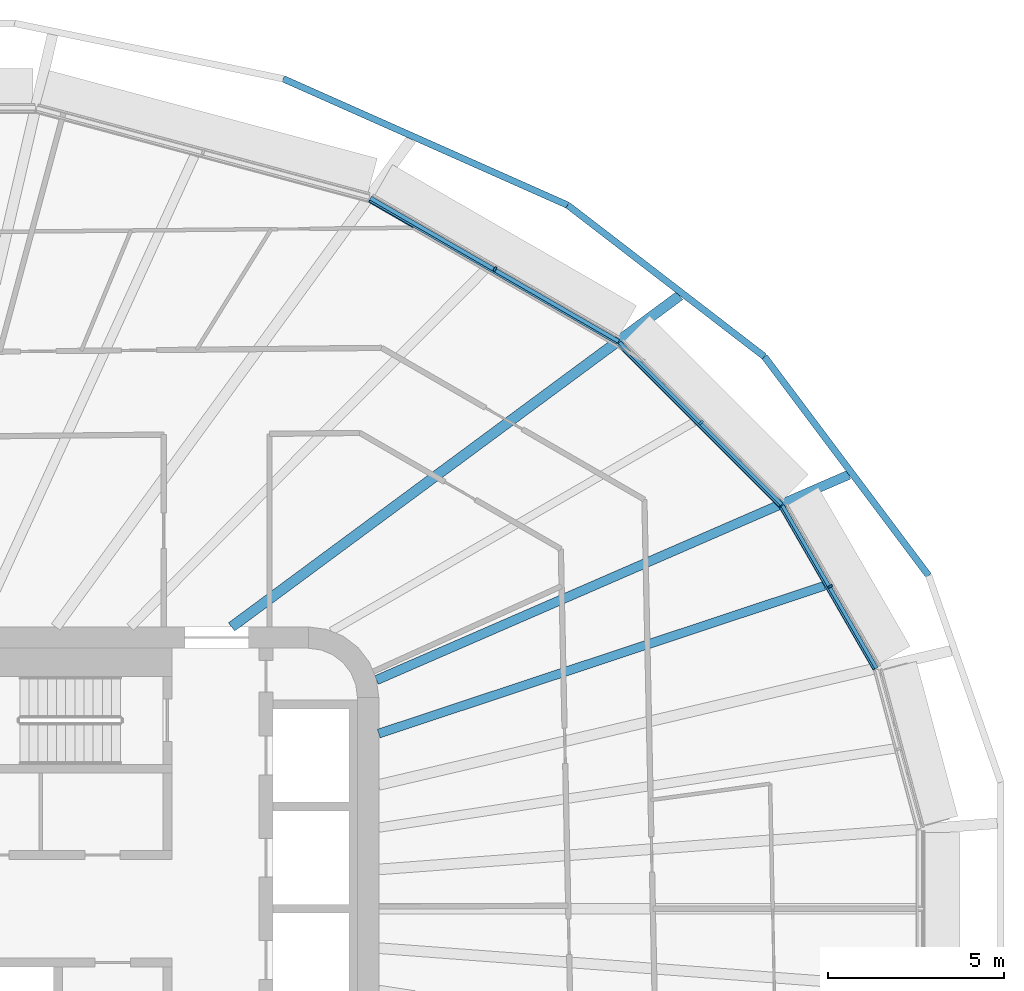
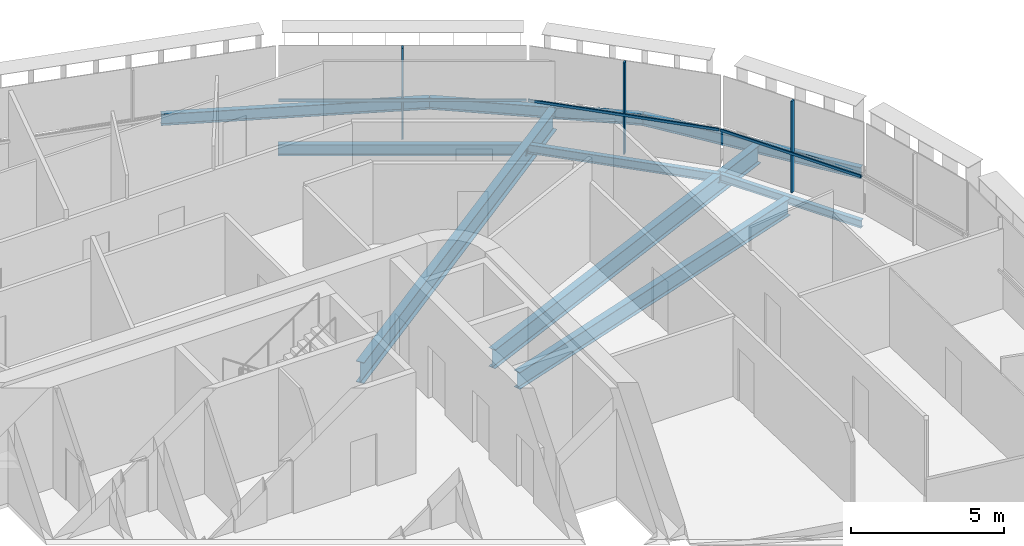
# One storey, part 9 of 23: 9 beams, 6 members, 3 elements without a shape of their own.
"""IFC4 building model written with IfcOpenShell, lengths in metres."""

from ifc_helpers import new_model, si_unit, direction, frame, origin, origin_2d, place, context, subcontext, project, spatial, rectangle, i_section, extrude, material, layer, layer_set, material_profile, profile_set, type_object, element, aggregate, save


model = new_model("IFC4")

# Units and contexts
model_context = context("Model", 3, precision=1e-05, world=origin(), true_north=direction((0.0, 1.0)))
body_context = subcontext(model_context, "Body", "Model", "MODEL_VIEW")
ifc_project = project(units=[si_unit("LENGTHUNIT", "METRE"), si_unit("AREAUNIT", "SQUARE_METRE"), si_unit("VOLUMEUNIT", "CUBIC_METRE"), si_unit("PLANEANGLEUNIT", "RADIAN"), si_unit("MASSUNIT", "GRAM", prefix="KILO")], contexts=[model_context])

# Site, building, storey
site_placement = place(None, origin())
site = spatial("IfcSite", under=ifc_project, at=site_placement, CompositionType="ELEMENT")
building_placement = place(site_placement, origin())
building = spatial("IfcBuilding", under=site, at=building_placement, Name="Sahrelin Media Tower", CompositionType="ELEMENT")
storey_placement = place(building_placement, frame((0.0, 0.0, 54.60009765625)))
storey = spatial("IfcBuildingStorey", under=building, at=storey_placement, Name="L08", CompositionType="ELEMENT", Elevation=54.60009765625)

# Beams
ifc_material_1 = material(Name="Steel S355", Category="steel")
ifc_material_profile_1 = material_profile(ifc_material_1, i_section(OverallWidth=0.1650390625, OverallDepth=0.303466796875, WebThickness=0.006103515625, FlangeThickness=0.01025390625, FilletRadius=0.0087890625, at=origin_2d()), Name="UB 305x165x40")
ifc_profile_set_1 = profile_set([ifc_material_profile_1], Name="Steel S355")
beam_type_1 = type_object("IfcBeamType", Name="Edge beam EB2", PredefinedType="BEAM", material=ifc_profile_set_1)
beam_1_placement = place(storey_placement, frame((26.429443359375, 11.4326171875, -0.3017578125), z_axis=(0.500020745744, -0.866013425892, 0.0), x_axis=(0.866013425892, 0.500020745744, 0.0)))
element("IfcBeam", 1, at=beam_1_placement, inside=storey, type_object=beam_type_1, Name="Edge beam L08-23", PredefinedType="BEAM", context=body_context, shape_type="SweptSolid", body=[
    extrude(i_section(OverallWidth=0.1650390625, OverallDepth=0.303466796875, WebThickness=0.006103515625, FlangeThickness=0.01025390625, FilletRadius=0.0087890625, at=origin_2d()), origin(), (0.0, 0.0, 1.0), 5.337158203125),
])
ifc_material_profile_2 = material_profile(ifc_material_1, i_section(OverallWidth=0.17138671875, OverallDepth=0.35498046875, WebThickness=0.00732421875, FlangeThickness=0.011474609375, FilletRadius=0.01025390625, at=origin_2d()), Name="UB 356x171x51")
ifc_profile_set_2 = profile_set([ifc_material_profile_2], Name="Steel S355")
beam_type_2 = type_object("IfcBeamType", Name="Edge beam EB3", PredefinedType="BEAM", material=ifc_profile_set_2)
beam_2_placement = place(storey_placement, frame((21.812255859375, 16.055419921875, -0.32763671875), z_axis=(0.707106781187, -0.707106781187, 0.0), x_axis=(0.707106781187, 0.707106781187, 0.0)))
element("IfcBeam", 2, at=beam_2_placement, inside=storey, type_object=beam_type_2, Name="Edge beam L08-22", PredefinedType="BEAM", context=body_context, shape_type="SweptSolid", body=[
    extrude(i_section(OverallWidth=0.17138671875, OverallDepth=0.35498046875, WebThickness=0.00732421875, FlangeThickness=0.011474609375, FilletRadius=0.01025390625, at=origin_2d()), origin(), (0.0, 0.0, 1.0), 6.505126953125),
])
ifc_material_profile_3 = material_profile(ifc_material_1, i_section(OverallWidth=0.1904296875, OverallDepth=0.45703125, WebThickness=0.009033203125, FlangeThickness=0.014404296875, FilletRadius=0.01025390625, at=origin_2d()), Name="UB 457x191x74")
ifc_profile_set_3 = profile_set([ifc_material_profile_3], Name="Steel S355")
beam_type_3 = type_object("IfcBeamType", Name="Edge beam EB5", PredefinedType="BEAM", material=ifc_profile_set_3)
beam_3_placement = place(storey_placement, frame((14.744873046875, 20.139892578125, -0.378662109375), z_axis=(0.866023644935, -0.500003046405, 0.0), x_axis=(0.500003046405, 0.866023644935, 0.0)))
element("IfcBeam", 3, at=beam_3_placement, inside=storey, type_object=beam_type_3, Name="Edge beam L08-21", PredefinedType="BEAM", context=body_context, shape_type="SweptSolid", body=[
    extrude(i_section(OverallWidth=0.1904296875, OverallDepth=0.45703125, WebThickness=0.009033203125, FlangeThickness=0.014404296875, FilletRadius=0.01025390625, at=origin_2d()), origin(), (0.0, 0.0, 1.0), 8.13427734375),
])

# Curtain wall, member
ifc_material_2 = material(Name="Champagne anodised aluminium 6063-T6", Category="aluminium")
ifc_layer = layer(ifc_material_2, 0.14990234375)
ifc_layer_set = layer_set([ifc_layer], Name="Tower ribbon curtain wall")
curtain_wall_type = type_object("IfcCurtainWallType", Name="Tower ribbon curtain wall", PredefinedType="NOTDEFINED", material=ifc_layer_set)
curtain_wall_1_placement = place(storey_placement, frame((27.893798828125, 9.196533203125, 0.0), z_axis=(0.0, 0.0, 1.0), x_axis=(1.0, 0.0, 0.0)))
curtain_wall_1 = element("IfcCurtainWall", 4, at=curtain_wall_1_placement, inside=storey, type_object=curtain_wall_type, Name="L08:CW:L08-02", PredefinedType="NOTDEFINED")
ifc_material_profile_4 = material_profile(ifc_material_2, rectangle(XDim=0.06005859375, YDim=0.14990234375, at=origin_2d()), Name="Mullion 60x150")
ifc_profile_set_4 = profile_set([ifc_material_profile_4], Name="Champagne anodised aluminium 6063-T6")
member_type_1 = type_object("IfcMemberType", Name="Mullion 60x150 CW1", PredefinedType="MULLION", material=ifc_profile_set_4)
member_1_placement = place(storey_placement, frame((27.811279296875, 9.149169921875, 0.0), z_axis=(0.0, 0.0, 1.0), x_axis=(-0.499990930976, 0.866030639725, 0.0)))
member_1 = element("IfcMember", 5, at=member_1_placement, type_object=member_type_1, Name="L08:CWM:L08-02", PredefinedType="MULLION", context=body_context, shape_type="SweptSolid", body=[
    extrude(rectangle(XDim=0.06005859375, YDim=0.14990234375, at=origin_2d()), origin(), (0.0, 0.0, 1.0), 3.6484375),
])

curtain_wall_2_placement = place(storey_placement, frame((24.218017578125, 13.861328125, 0.0), z_axis=(0.0, 0.0, 1.0), x_axis=(1.0, 0.0, 0.0)))
curtain_wall_2 = element("IfcCurtainWall", 6, at=curtain_wall_2_placement, inside=storey, type_object=curtain_wall_type, Name="L08:CW:L08-03", PredefinedType="NOTDEFINED")
member_2_placement = place(storey_placement, frame((24.15087890625, 13.794189453125, 0.0), z_axis=(0.0, 0.0, 1.0), x_axis=(-0.707106781187, 0.707106781187, 0.0)))
member_2 = element("IfcMember", 7, at=member_2_placement, type_object=member_type_1, Name="L08:CWM:L08-03", PredefinedType="MULLION", context=body_context, shape_type="SweptSolid", body=[
    extrude(rectangle(XDim=0.06005859375, YDim=0.14990234375, at=origin_2d()), origin(), (0.0, 0.0, 1.0), 3.6484375),
])

curtain_wall_3_placement = place(storey_placement, frame((18.342041015625, 18.236328125, 0.0), z_axis=(0.0, 0.0, 1.0), x_axis=(1.0, 0.0, 0.0)))
curtain_wall_3 = element("IfcCurtainWall", 8, at=curtain_wall_3_placement, inside=storey, type_object=curtain_wall_type, Name="L08:CW:L08-04", PredefinedType="NOTDEFINED")
member_3_placement = place(storey_placement, frame((18.294677734375, 18.154052734375, 0.0), z_axis=(0.0, 0.0, 1.0), x_axis=(-0.866027149108, 0.499996976998, 0.0)))
member_3 = element("IfcMember", 9, at=member_3_placement, type_object=member_type_1, Name="L08:CWM:L08-04", PredefinedType="MULLION", context=body_context, shape_type="SweptSolid", body=[
    extrude(rectangle(XDim=0.06005859375, YDim=0.14990234375, at=origin_2d()), origin(), (0.0, 0.0, 1.0), 3.6484375),
])

# Beams
ifc_material_profile_5 = material_profile(ifc_material_1, i_section(OverallWidth=0.291748046875, OverallDepth=0.8349609375, WebThickness=0.013916015625, FlangeThickness=0.018798828125, FilletRadius=0.017822265625, at=origin_2d()), Name="UB 838x292x176")
ifc_profile_set_5 = profile_set([ifc_material_profile_5], Name="Steel S355")
beam_type_4 = type_object("IfcBeamType", Name="Radial primary beam PB10", PredefinedType="BEAM", material=ifc_profile_set_5)
beam_4_placement = place(storey_placement, frame((10.821533203125, 8.0, -0.5673828125), z_axis=(0.804124174179, 0.594461363337, 0.0), x_axis=(-0.594461363337, 0.804124174179, 0.0)))
element("IfcBeam", 10, at=beam_4_placement, inside=storey, type_object=beam_type_4, Name="Radial beam L08-04", PredefinedType="BEAM", context=body_context, shape_type="SweptSolid", body=[
    extrude(i_section(OverallWidth=0.291748046875, OverallDepth=0.8349609375, WebThickness=0.013916015625, FlangeThickness=0.018798828125, FilletRadius=0.017822265625, at=origin_2d()), origin(), (0.0, 0.0, 1.0), 15.81787109375),
])
ifc_material_profile_6 = material_profile(ifc_material_1, i_section(OverallWidth=0.26513671875, OverallDepth=0.75390625, WebThickness=0.0126953125, FlangeThickness=0.017578125, FilletRadius=0.0166015625, at=origin_2d()), Name="UB 762x267x147")
ifc_profile_set_6 = profile_set([ifc_material_profile_6], Name="Steel S355")
beam_type_5 = type_object("IfcBeamType", Name="Radial primary beam PB9", PredefinedType="BEAM", material=ifc_profile_set_6)
beam_5_placement = place(storey_placement, frame((14.935302734375, 6.491943359375, -0.527099609375), z_axis=(0.917108819055, 0.398636945115, 0.0), x_axis=(-0.398636945115, 0.917108819055, 0.0)))
element("IfcBeam", 11, at=beam_5_placement, inside=storey, type_object=beam_type_5, Name="Radial beam L08-03", PredefinedType="BEAM", context=body_context, shape_type="SweptSolid", body=[
    extrude(i_section(OverallWidth=0.26513671875, OverallDepth=0.75390625, WebThickness=0.0126953125, FlangeThickness=0.017578125, FilletRadius=0.0166015625, at=origin_2d()), origin(), (0.0, 0.0, 1.0), 14.61767578125),
])
ifc_material_profile_7 = material_profile(ifc_material_1, i_section(OverallWidth=0.2529296875, OverallDepth=0.677978515625, WebThickness=0.01171875, FlangeThickness=0.01611328125, FilletRadius=0.01513671875, at=origin_2d()), Name="UB 686x254x125")
ifc_profile_set_7 = profile_set([ifc_material_profile_7], Name="Steel S355")
beam_type_6 = type_object("IfcBeamType", Name="Radial secondary beam SB8", PredefinedType="BEAM", material=ifc_profile_set_7)
beam_6_placement = place(storey_placement, frame((15.0, 4.973388671875, -0.489013671875), z_axis=(0.949189781098, 0.314704241247, 0.0), x_axis=(-0.314704241247, 0.949189781098, 0.0)))
element("IfcBeam", 12, at=beam_6_placement, inside=storey, type_object=beam_type_6, Name="Secondary beam L08-02", PredefinedType="BEAM", context=body_context, shape_type="SweptSolid", body=[
    extrude(i_section(OverallWidth=0.2529296875, OverallDepth=0.677978515625, WebThickness=0.01171875, FlangeThickness=0.01611328125, FilletRadius=0.01513671875, at=origin_2d()), origin(), (0.0, 0.0, 1.0), 13.320068359375),
])
ifc_material_profile_8 = material_profile(ifc_material_1, i_section(OverallWidth=0.1904296875, OverallDepth=0.45703125, WebThickness=0.009033203125, FlangeThickness=0.014404296875, FilletRadius=0.01025390625, at=origin_2d()), Name="UB 457x191x74")
ifc_profile_set_8 = profile_set([ifc_material_profile_8], Name="Steel S355")
beam_type_7 = type_object("IfcBeamType", Name="Tie chord TC5", PredefinedType="BEAM", material=ifc_profile_set_8)
beam_7_placement = place(storey_placement, frame((30.607177734375, 9.456787109375, -0.378662109375), z_axis=(-0.600040211361, 0.7999698399, 0.0), x_axis=(-0.7999698399, -0.600040211361, 0.0)))
element("IfcBeam", 13, at=beam_7_placement, inside=storey, type_object=beam_type_7, Name="Tie chord L08-02", PredefinedType="BEAM", context=body_context, shape_type="SweptSolid", body=[
    extrude(i_section(OverallWidth=0.1904296875, OverallDepth=0.45703125, WebThickness=0.009033203125, FlangeThickness=0.014404296875, FilletRadius=0.01025390625, at=origin_2d()), origin(), (0.0, 0.0, 1.0), 7.771240234375),
])
beam_8_placement = place(storey_placement, frame((25.944091796875, 15.673583984375, -0.378662109375), z_axis=(-0.792453844902, 0.609931884475, 0.0), x_axis=(-0.609931884475, -0.792453844902, 0.0)))
element("IfcBeam", 14, at=beam_8_placement, inside=storey, type_object=beam_type_7, Name="Tie chord L08-03", PredefinedType="BEAM", context=body_context, shape_type="SweptSolid", body=[
    extrude(i_section(OverallWidth=0.1904296875, OverallDepth=0.45703125, WebThickness=0.009033203125, FlangeThickness=0.014404296875, FilletRadius=0.01025390625, at=origin_2d()), origin(), (0.0, 0.0, 1.0), 7.04248046875),
])
beam_9_placement = place(storey_placement, frame((20.36328125, 19.968994140625, -0.378662109375), z_axis=(-0.913822939174, 0.406112836338, 0.0), x_axis=(-0.406112836338, -0.913822939174, 0.0)))
element("IfcBeam", 15, at=beam_9_placement, inside=storey, type_object=beam_type_7, Name="Tie chord L08-04", PredefinedType="BEAM", context=body_context, shape_type="SweptSolid", body=[
    extrude(i_section(OverallWidth=0.1904296875, OverallDepth=0.45703125, WebThickness=0.009033203125, FlangeThickness=0.014404296875, FilletRadius=0.01025390625, at=origin_2d()), origin(), (0.0, 0.0, 1.0), 8.83837890625),
])

# Member
ifc_material_profile_9 = material_profile(ifc_material_2, rectangle(XDim=0.050048828125, YDim=0.10009765625, at=origin_2d()), Name="Transom 50x100")
ifc_profile_set_9 = profile_set([ifc_material_profile_9], Name="Champagne anodised aluminium 6063-T6")
member_type_2 = type_object("IfcMemberType", Name="Transom 50x100 CW1", PredefinedType="USERDEFINED", material=ifc_profile_set_9)
member_4_placement = place(storey_placement, frame((29.05126953125, 6.801513671875, 1.599853515625), z_axis=(-0.499989321821, 0.866031568746, 0.0), x_axis=(-0.866031568746, -0.499989321821, 0.0)))
member_4 = element("IfcMember", 16, at=member_4_placement, type_object=member_type_2, Name="L08:CWT:L08-02", ObjectType="TRANSOM", PredefinedType="USERDEFINED", context=body_context, shape_type="SweptSolid", body=[
    extrude(rectangle(XDim=0.050048828125, YDim=0.10009765625, at=origin_2d()), origin(), (0.0, 0.0, 1.0), 5.3056640625),
])

aggregate(curtain_wall_1, [member_1, member_4])

member_5_placement = place(storey_placement, frame((26.369140625, 11.434814453125, 1.599853515625), z_axis=(-0.707106781187, 0.707106781187, 0.0), x_axis=(-0.707106781187, -0.707106781187, 0.0)))
member_5 = element("IfcMember", 17, at=member_5_placement, type_object=member_type_2, Name="L08:CWT:L08-03", ObjectType="TRANSOM", PredefinedType="USERDEFINED", context=body_context, shape_type="SweptSolid", body=[
    extrude(rectangle(XDim=0.050048828125, YDim=0.10009765625, at=origin_2d()), origin(), (0.0, 0.0, 1.0), 6.473876953125),
])

aggregate(curtain_wall_2, [member_2, member_5])

member_6_placement = place(storey_placement, frame((21.753173828125, 16.041748046875, 1.599853515625), z_axis=(-0.866035564294, 0.499982401068, 0.0), x_axis=(-0.499982401068, -0.866035564294, 0.0)))
member_6 = element("IfcMember", 18, at=member_6_placement, type_object=member_type_2, Name="L08:CWT:L08-04", ObjectType="TRANSOM", PredefinedType="USERDEFINED", context=body_context, shape_type="SweptSolid", body=[
    extrude(rectangle(XDim=0.050048828125, YDim=0.10009765625, at=origin_2d()), origin(), (0.0, 0.0, 1.0), 8.102783203125),
])

aggregate(curtain_wall_3, [member_3, member_6])

save(model, "model.ifc")
